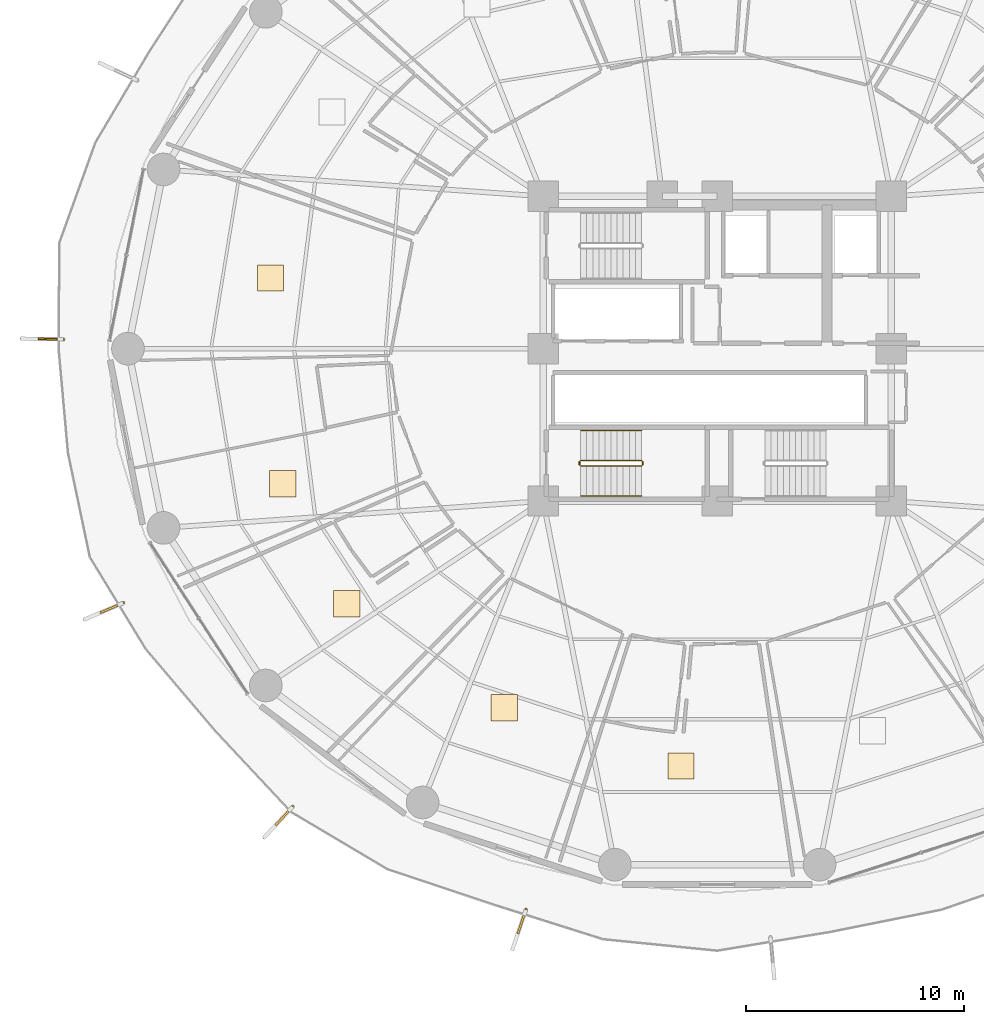
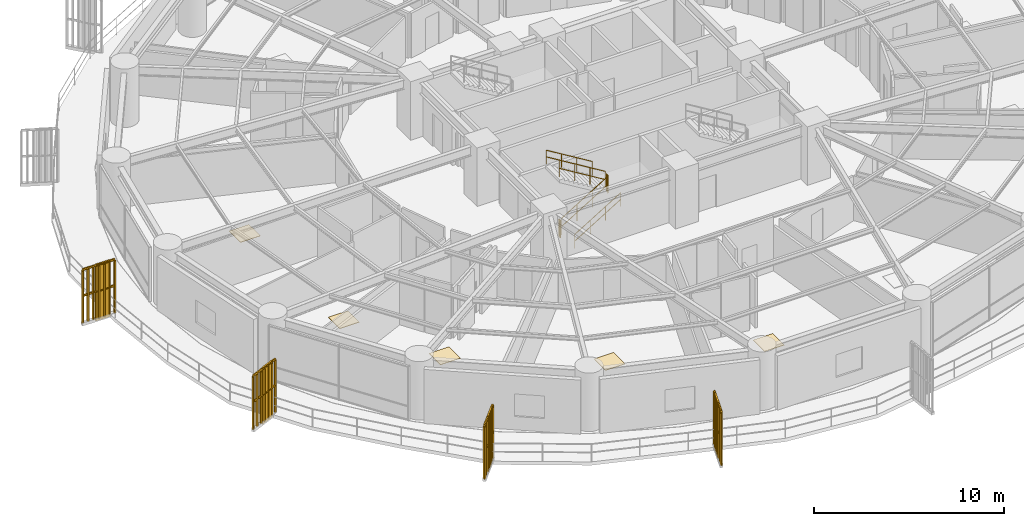
# One storey, part 30 of 34: 10 railings, 5 coverings, 4 shading devices.
"""IFC4 building model written with IfcOpenShell, lengths in metres."""

import ifcopenshell
import ifcopenshell.guid

model = None  # the IFC model being written
_history = None  # IfcOwnerHistory: only IFC2X3 demands one
_inside = {}  # id of a spatial element -> (the spatial element, [elements in it])
_under = {}  # id of a project, library or spatial element -> (it, [spatial elements below it])
_declared = {}  # id of a project -> (the project, [libraries it declares])
_typed = {}  # id of a type object -> (the type object, [elements of that type])
_made_of = {}  # id of a material, layer set ... -> (it, [elements and type objects made of it])


def new_model(schema):
    """Start an empty IFC model of exactly this schema.

    Asked for "IFC4X3", IfcOpenShell would pick the latest addendum, in which some entities
    have other attributes; the version numbers below select the first issue.
    IFC2X3 requires an IfcOwnerHistory on every rooted entity: one is made here for all.
    """
    global model, _history
    if schema == "IFC4X3":
        model = ifcopenshell.file(schema_version=(4, 3, 0, 0))
    else:
        model = ifcopenshell.file(schema=schema)
    _inside.clear()
    _under.clear()
    _declared.clear()
    _typed.clear()
    _made_of.clear()
    _history = None
    if model.schema == "IFC2X3":
        org = make("IfcOrganization", Name="unknown")
        user = make(
            "IfcPersonAndOrganization",
            ThePerson=make("IfcPerson", FamilyName="unknown"),
            TheOrganization=org,
        )
        app = make(
            "IfcApplication",
            ApplicationDeveloper=org,
            Version="unknown",
            ApplicationFullName="unknown",
            ApplicationIdentifier="unknown",
        )
        _history = make(
            "IfcOwnerHistory",
            OwningUser=user,
            OwningApplication=app,
            ChangeAction="ADDED",
            CreationDate=0,
        )
    return model


def make(cls, **values):
    """One entity of the class cls with the attributes given. An attribute that is None is left unset."""
    return model.create_entity(
        cls, **{name: value for name, value in values.items() if value is not None}
    )


def rooted(cls, **values):
    """An entity with a GlobalId (a new one), such as an element, a storey or a relation."""
    return make(cls, GlobalId=ifcopenshell.guid.new(), OwnerHistory=_history, **values)


def si_unit(unit_type, name, prefix=None):
    """IfcSIUnit, for example si_unit("LENGTHUNIT", "METRE", prefix="MILLI")."""
    return make("IfcSIUnit", UnitType=unit_type, Prefix=prefix, Name=name)


def assignment(units):
    """IfcUnitAssignment: the units of a project."""
    return None if units is None else make("IfcUnitAssignment", Units=units)


def point(xyz):
    """IfcCartesianPoint."""
    return None if xyz is None else make("IfcCartesianPoint", Coordinates=xyz)


def direction(xyz):
    """IfcDirection."""
    return None if xyz is None else make("IfcDirection", DirectionRatios=xyz)


def frame(location, z_axis=None, x_axis=None):
    """IfcAxis2Placement3D, a coordinate frame: its origin and axes. An axis left out is left unset."""
    return make(
        "IfcAxis2Placement3D",
        Location=point(location),
        Axis=direction(z_axis),
        RefDirection=direction(x_axis),
    )


def frame_2d(location, x_axis=None):
    """IfcAxis2Placement2D, a coordinate frame in the plane: its origin and x axis."""
    return make(
        "IfcAxis2Placement2D", Location=point(location), RefDirection=direction(x_axis)
    )


def origin():
    """The frame at (0, 0, 0) with its axes left unset."""
    return frame((0.0, 0.0, 0.0))


def origin_2d():
    """The frame at (0, 0) in the plane with its x axis left unset."""
    return frame_2d((0.0, 0.0))


def place(relative_to, where):
    """IfcLocalPlacement: puts the frame where relative to a parent placement (None: the world)."""
    return make(
        "IfcLocalPlacement", PlacementRelTo=relative_to, RelativePlacement=where
    )


def context(
    kind, dimensions, precision=None, world=None, true_north=None, identifier=None
):
    """IfcGeometricRepresentationContext, for example the 3D "Model" context."""
    return make(
        "IfcGeometricRepresentationContext",
        ContextIdentifier=identifier,
        ContextType=kind,
        CoordinateSpaceDimension=dimensions,
        Precision=precision,
        WorldCoordinateSystem=world,
        TrueNorth=true_north,
    )


def subcontext(parent, identifier, kind, view, scale=None):
    """IfcGeometricRepresentationSubContext, for example "Body" below "Model"."""
    return make(
        "IfcGeometricRepresentationSubContext",
        ContextIdentifier=identifier,
        ContextType=kind,
        ParentContext=parent,
        TargetScale=scale,
        TargetView=view,
    )


def project(units=None, contexts=None):
    """IfcProject with its units and contexts."""
    return rooted(
        "IfcProject",
        Name="project",
        RepresentationContexts=contexts,
        UnitsInContext=assignment(units),
    )


def spatial(cls, under=None, at=None, **own):
    """A site, building, storey or space (cls), placed at a placement, below another one or the project."""
    s = rooted(cls, ObjectPlacement=at, **own)
    if under is not None:
        _under.setdefault(under.id(), (under, []))[1].append(s)
    return s


def polyline(points):
    """IfcPolyline through the points."""
    return make("IfcPolyline", Points=[point(p) for p in points])


def profile(cls, at=None, kind="AREA", **sizes):
    """A parametric profile (cls). Its sizes go by their IFC names, for example OverallWidth=200.0."""
    return make(cls, ProfileType=kind, Position=at, **sizes)


def rectangle(**sizes):
    """IfcRectangleProfileDef."""
    return profile("IfcRectangleProfileDef", **sizes)


def outline(outer, holes=None, kind="AREA"):
    """IfcArbitraryClosedProfileDef: a profile drawn as a closed curve; with holes, ...WithVoids."""
    if holes is None:
        return make("IfcArbitraryClosedProfileDef", ProfileType=kind, OuterCurve=outer)
    return make(
        "IfcArbitraryProfileDefWithVoids",
        ProfileType=kind,
        OuterCurve=outer,
        InnerCurves=holes,
    )


def extrude(swept, where, along, depth):
    """IfcExtrudedAreaSolid: the profile swept, set in the frame where, extruded along a direction by depth."""
    return make(
        "IfcExtrudedAreaSolid",
        SweptArea=swept,
        Position=where,
        ExtrudedDirection=direction(along),
        Depth=depth,
    )


def shape(context_of_items, identifier, shape_type, items):
    """IfcShapeRepresentation: the items that make up one representation, for example the "Body"."""
    return make(
        "IfcShapeRepresentation",
        ContextOfItems=context_of_items,
        RepresentationIdentifier=identifier,
        RepresentationType=shape_type,
        Items=items,
    )


def source(mapping_origin, context_of_items, identifier, shape_type, items):
    """IfcRepresentationMap: a shape defined once, which mapped items show again and again."""
    return make(
        "IfcRepresentationMap",
        MappingOrigin=mapping_origin,
        MappedRepresentation=shape(context_of_items, identifier, shape_type, items),
    )


def transform(
    local_origin,
    x_axis=None,
    y_axis=None,
    z_axis=None,
    scale=None,
    scale2=None,
    scale3=None,
    uniform=True,
):
    """IfcCartesianTransformationOperator3D, or its non-uniform kind. x_axis, y_axis, z_axis: its Axis1, 2, 3."""
    if uniform:
        return make(
            "IfcCartesianTransformationOperator3D",
            Axis1=direction(x_axis),
            Axis2=direction(y_axis),
            LocalOrigin=point(local_origin),
            Scale=scale,
            Axis3=direction(z_axis),
        )
    return make(
        "IfcCartesianTransformationOperator3DnonUniform",
        Axis1=direction(x_axis),
        Axis2=direction(y_axis),
        LocalOrigin=point(local_origin),
        Scale=scale,
        Axis3=direction(z_axis),
        Scale2=scale2,
        Scale3=scale3,
    )


def mapped(mapping_source, mapping_target):
    """IfcMappedItem: shows the shape of a source again, moved by a transform."""
    return make(
        "IfcMappedItem", MappingSource=mapping_source, MappingTarget=mapping_target
    )


def material(Name=None, Category=None):
    """IfcMaterial."""
    return make("IfcMaterial", Name=Name, Category=Category)


def layer(
    of_material, thickness, ventilated=None, Name=None, Category=None, Priority=None
):
    """IfcMaterialLayer: one layer of a wall or slab, of a material (None: an air gap)."""
    return make(
        "IfcMaterialLayer",
        Material=of_material,
        LayerThickness=thickness,
        IsVentilated=ventilated,
        Name=Name,
        Category=Category,
        Priority=Priority,
    )


def layer_set(layers, Name=None):
    """IfcMaterialLayerSet."""
    return make("IfcMaterialLayerSet", MaterialLayers=layers, LayerSetName=Name)


def made_of(thing, what):
    """Note that an element or type object is made of a material, layer set ...; save() writes the relation."""
    if what is not None:
        _made_of.setdefault(what.id(), (what, []))[1].append(thing)
    return thing


def type_object(cls, material=None, **own):
    """A type object (cls), such as IfcWallType, which elements share."""
    return made_of(rooted(cls, **own), material)


def element(
    cls,
    number,
    at=None,
    inside=None,
    cuts=None,
    type_object=None,
    material=None,
    context=None,
    identifier="Body",
    shape_type=None,
    held_by="IfcProductDefinitionShape",
    body=None,
    shapes=None,
    **own,
):
    """One element of the class cls, such as IfcWall. Its Tag is "e" and its number.

    at: its placement. inside: the storey or other place that contains it. cuts: it is an
    opening in that element (IfcRelVoidsElement). A single representation is given by context,
    identifier, shape_type and body (its items); several are given by shapes. held_by: the class
    of the entity that holds the representations. save() writes the other relations.
    """
    e = rooted(cls, Tag="e%d" % number, ObjectPlacement=at, **own)
    if body is not None:
        shapes = [shape(context, identifier, shape_type, body)]
    if shapes is not None:
        e.Representation = make(held_by, Representations=shapes)
    if inside is not None:
        _inside.setdefault(inside.id(), (inside, []))[1].append(e)
    if cuts is not None:
        rooted(
            "IfcRelVoidsElement", RelatingBuildingElement=cuts, RelatedOpeningElement=e
        )
    if type_object is not None:
        _typed.setdefault(type_object.id(), (type_object, []))[1].append(e)
    return made_of(e, material)


def aggregate(whole, parts):
    """IfcRelAggregates: a whole, such as a stair, and the parts it consists of."""
    return rooted("IfcRelAggregates", RelatingObject=whole, RelatedObjects=parts)


def save(model, path):
    """Write the relations noted so far, then the file.

    IfcRelAggregates (storeys below a building ...), IfcRelContainedInSpatialStructure (elements
    in a storey), IfcRelDefinesByType, IfcRelAssociatesMaterial and IfcRelDeclares: one each for
    every whole, place, type object, material and project.
    """
    for whole, parts in _under.values():
        aggregate(whole, parts)
    for where, things in _inside.values():
        rooted(
            "IfcRelContainedInSpatialStructure",
            RelatedElements=things,
            RelatingStructure=where,
        )
    for kind, things in _typed.values():
        rooted("IfcRelDefinesByType", RelatedObjects=things, RelatingType=kind)
    for what, things in _made_of.values():
        rooted("IfcRelAssociatesMaterial", RelatedObjects=things, RelatingMaterial=what)
    for by, libraries in _declared.values():
        rooted("IfcRelDeclares", RelatingContext=by, RelatedDefinitions=libraries)
    model.write(path)


model = new_model("IFC4")

# Units and contexts
model_context = context("Model", 3, precision=1e-05, world=origin(), true_north=direction((0.0, 1.0)))
body_context = subcontext(model_context, "Body", "Model", "MODEL_VIEW")
ifc_project = project(units=[si_unit("LENGTHUNIT", "METRE"), si_unit("AREAUNIT", "SQUARE_METRE"), si_unit("VOLUMEUNIT", "CUBIC_METRE"), si_unit("PLANEANGLEUNIT", "RADIAN"), si_unit("MASSUNIT", "GRAM", prefix="KILO")], contexts=[model_context])

# Site, building, storey
site_placement = place(None, origin())
site = spatial("IfcSite", under=ifc_project, at=site_placement, CompositionType="ELEMENT")
building_placement = place(site_placement, origin())
building = spatial("IfcBuilding", under=site, at=building_placement, Name="Kelanora Arch Commons", CompositionType="ELEMENT")
storey_placement = place(building_placement, frame((0.0, 0.0, 33.75)))
storey = spatial("IfcBuildingStorey", under=building, at=storey_placement, Name="L08", CompositionType="ELEMENT", Elevation=33.75)

# Railings
ifc_material_1 = material(Name="Anodised bronze vertical shading fin rib assembly")
railing_type_1 = type_object("IfcRailingType", Name="RAIL-FIN-BRZ", PredefinedType="BALUSTRADE", material=ifc_material_1)
railing_1_placement = place(storey_placement, frame((43.95556640625, 58.43310546875, -0.02001953125)))
element("IfcRailing", 1, at=railing_1_placement, inside=storey, type_object=railing_type_1, Name="Sweeping Bronze Vertical Fin Blade L08-07", PredefinedType="BALUSTRADE", context=body_context, shape_type="SweptSolid", body=[
    extrude(outline(polyline([(0.06982421875, 0.0), (0.034912109375, 0.060546875), (-0.034912109375, 0.060546875), (-0.06982421875, 0.0), (-0.034912109375, -0.060546875), (0.034912109375, -0.060546875), (0.06982421875, 0.0)])), frame((0.0, 0.0, 3.419921875), z_axis=(-0.999896488581, 0.014387915855, 0.0), x_axis=(-0.014387915855, -0.999896488581, 0.0)), (0.0, 0.0, 1.0), 1.91748046875),
    extrude(outline(polyline([(0.06982421875, 0.0), (0.034912109375, 0.060546875), (-0.034912109375, 0.060546875), (-0.06982421875, 0.0), (-0.034912109375, -0.060546875), (0.034912109375, -0.060546875), (0.06982421875, 0.0)])), frame((0.0, 0.0, 1.7451171875), z_axis=(-0.999896488581, 0.014387915855, 0.0), x_axis=(-0.014387915855, -0.999896488581, 0.0)), (0.0, 0.0, 1.0), 1.91748046875),
    extrude(outline(polyline([(0.080078125, 0.0), (0.0400390625, 0.0693359375), (-0.0400390625, 0.0693359375), (-0.080078125, 0.0), (-0.0400390625, -0.0693359375), (0.0400390625, -0.0693359375), (0.080078125, 0.0)])), origin(), (0.0, 0.0, 1.0), 3.35009765625),
    extrude(outline(polyline([(0.080078125, 0.0), (0.0400390625, 0.0693359375), (-0.0400390625, 0.0693359375), (-0.080078125, 0.0), (-0.0400390625, -0.0693359375), (0.0400390625, -0.0693359375), (0.080078125, 0.0)])), frame((-0.319580078125, 0.004638671875, 0.0)), (0.0, 0.0, 1.0), 3.35009765625),
    extrude(outline(polyline([(0.080078125, 0.0), (0.0400390625, 0.0693359375), (-0.0400390625, 0.0693359375), (-0.080078125, 0.0), (-0.0400390625, -0.0693359375), (0.0400390625, -0.0693359375), (0.080078125, 0.0)])), frame((-0.63916015625, 0.00927734375, 0.0)), (0.0, 0.0, 1.0), 3.35009765625),
    extrude(outline(polyline([(0.080078125, 0.0), (0.0400390625, 0.0693359375), (-0.0400390625, 0.0693359375), (-0.080078125, 0.0), (-0.0400390625, -0.0693359375), (0.0400390625, -0.0693359375), (0.080078125, 0.0)])), frame((-0.95849609375, 0.013671875, 0.0)), (0.0, 0.0, 1.0), 3.35009765625),
    extrude(outline(polyline([(0.080078125, 0.0), (0.0400390625, 0.0693359375), (-0.0400390625, 0.0693359375), (-0.080078125, 0.0), (-0.0400390625, -0.0693359375), (0.0400390625, -0.0693359375), (0.080078125, 0.0)])), frame((-1.278076171875, 0.018310546875, 0.0)), (0.0, 0.0, 1.0), 3.35009765625),
    extrude(outline(polyline([(0.080078125, 0.0), (0.0400390625, 0.0693359375), (-0.0400390625, 0.0693359375), (-0.080078125, 0.0), (-0.0400390625, -0.0693359375), (0.0400390625, -0.0693359375), (0.080078125, 0.0)])), frame((-1.59765625, 0.02294921875, 0.0)), (0.0, 0.0, 1.0), 3.35009765625),
    extrude(outline(polyline([(0.080078125, 0.0), (0.0400390625, 0.0693359375), (-0.0400390625, 0.0693359375), (-0.080078125, 0.0), (-0.0400390625, -0.0693359375), (0.0400390625, -0.0693359375), (0.080078125, 0.0)])), frame((-1.917236328125, 0.027587890625, 0.0)), (0.0, 0.0, 1.0), 3.35009765625),
])
railing_2_placement = place(storey_placement, frame((46.703125, 46.315185546875, -0.02001953125)))
element("IfcRailing", 2, at=railing_2_placement, inside=storey, type_object=railing_type_1, Name="Sweeping Bronze Vertical Fin Blade L08-08", PredefinedType="BALUSTRADE", context=body_context, shape_type="SweptSolid", body=[
    extrude(outline(polyline([(0.06982421875, 0.0), (0.034912109375, 0.060546875), (-0.034912109375, 0.060546875), (-0.06982421875, 0.0), (-0.034912109375, -0.060546875), (0.034912109375, -0.060546875), (0.06982421875, 0.0)])), frame((0.0, 0.0, 3.419921875), z_axis=(-0.919316155183, -0.393519766746, 0.0), x_axis=(0.393519766746, -0.919316155183, 0.0)), (0.0, 0.0, 1.0), 1.917724609375),
    extrude(outline(polyline([(0.06982421875, 0.0), (0.034912109375, 0.060546875), (-0.034912109375, 0.060546875), (-0.06982421875, 0.0), (-0.034912109375, -0.060546875), (0.034912109375, -0.060546875), (0.06982421875, 0.0)])), frame((0.0, 0.0, 1.7451171875), z_axis=(-0.919316155183, -0.393519766746, 0.0), x_axis=(0.393519766746, -0.919316155183, 0.0)), (0.0, 0.0, 1.0), 1.917724609375),
    extrude(outline(polyline([(0.080078125, 0.0), (0.0400390625, 0.0693359375), (-0.0400390625, 0.0693359375), (-0.080078125, 0.0), (-0.0400390625, -0.0693359375), (0.0400390625, -0.0693359375), (0.080078125, 0.0)])), origin(), (0.0, 0.0, 1.0), 3.35009765625),
    extrude(outline(polyline([(0.080078125, 0.0), (0.0400390625, 0.0693359375), (-0.0400390625, 0.0693359375), (-0.080078125, 0.0), (-0.0400390625, -0.0693359375), (0.0400390625, -0.0693359375), (0.080078125, 0.0)])), frame((-0.2939453125, -0.125732421875, 0.0)), (0.0, 0.0, 1.0), 3.35009765625),
    extrude(outline(polyline([(0.080078125, 0.0), (0.0400390625, 0.0693359375), (-0.0400390625, 0.0693359375), (-0.080078125, 0.0), (-0.0400390625, -0.0693359375), (0.0400390625, -0.0693359375), (0.080078125, 0.0)])), frame((-0.587646484375, -0.25146484375, 0.0)), (0.0, 0.0, 1.0), 3.35009765625),
    extrude(outline(polyline([(0.080078125, 0.0), (0.0400390625, 0.0693359375), (-0.0400390625, 0.0693359375), (-0.080078125, 0.0), (-0.0400390625, -0.0693359375), (0.0400390625, -0.0693359375), (0.080078125, 0.0)])), frame((-0.88134765625, -0.37744140625, 0.0)), (0.0, 0.0, 1.0), 3.35009765625),
    extrude(outline(polyline([(0.080078125, 0.0), (0.0400390625, 0.0693359375), (-0.0400390625, 0.0693359375), (-0.080078125, 0.0), (-0.0400390625, -0.0693359375), (0.0400390625, -0.0693359375), (0.080078125, 0.0)])), frame((-1.17529296875, -0.503173828125, 0.0)), (0.0, 0.0, 1.0), 3.35009765625),
    extrude(outline(polyline([(0.080078125, 0.0), (0.0400390625, 0.0693359375), (-0.0400390625, 0.0693359375), (-0.080078125, 0.0), (-0.0400390625, -0.0693359375), (0.0400390625, -0.0693359375), (0.080078125, 0.0)])), frame((-1.46923828125, -0.62890625, 0.0)), (0.0, 0.0, 1.0), 3.35009765625),
    extrude(outline(polyline([(0.080078125, 0.0), (0.0400390625, 0.0693359375), (-0.0400390625, 0.0693359375), (-0.080078125, 0.0), (-0.0400390625, -0.0693359375), (0.0400390625, -0.0693359375), (0.080078125, 0.0)])), frame((-1.762939453125, -0.754638671875, 0.0)), (0.0, 0.0, 1.0), 3.35009765625),
])
railing_3_placement = place(storey_placement, frame((54.490234375, 36.95068359375, -0.02001953125)))
element("IfcRailing", 3, at=railing_3_placement, inside=storey, type_object=railing_type_1, Name="Sweeping Bronze Vertical Fin Blade L08-09", PredefinedType="BALUSTRADE", context=body_context, shape_type="SweptSolid", body=[
    extrude(outline(polyline([(0.06982421875, 0.0), (0.034912109375, 0.060546875), (-0.034912109375, 0.060546875), (-0.06982421875, 0.0), (-0.034912109375, -0.060546875), (0.034912109375, -0.060546875), (0.06982421875, 0.0)])), frame((0.0, 0.0, 3.419921875), z_axis=(-0.679732927527, -0.73345971071, 0.0), x_axis=(0.73345971071, -0.679732927527, 0.0)), (0.0, 0.0, 1.0), 1.917724609375),
    extrude(outline(polyline([(0.06982421875, 0.0), (0.034912109375, 0.060546875), (-0.034912109375, 0.060546875), (-0.06982421875, 0.0), (-0.034912109375, -0.060546875), (0.034912109375, -0.060546875), (0.06982421875, 0.0)])), frame((0.0, 0.0, 1.7451171875), z_axis=(-0.679732927527, -0.73345971071, 0.0), x_axis=(0.73345971071, -0.679732927527, 0.0)), (0.0, 0.0, 1.0), 1.917724609375),
    extrude(outline(polyline([(0.080078125, 0.0), (0.0400390625, 0.0693359375), (-0.0400390625, 0.0693359375), (-0.080078125, 0.0), (-0.0400390625, -0.0693359375), (0.0400390625, -0.0693359375), (0.080078125, 0.0)])), origin(), (0.0, 0.0, 1.0), 3.35009765625),
    extrude(outline(polyline([(0.080078125, 0.0), (0.0400390625, 0.0693359375), (-0.0400390625, 0.0693359375), (-0.080078125, 0.0), (-0.0400390625, -0.0693359375), (0.0400390625, -0.0693359375), (0.080078125, 0.0)])), frame((-0.21728515625, -0.234375, 0.0)), (0.0, 0.0, 1.0), 3.35009765625),
    extrude(outline(polyline([(0.080078125, 0.0), (0.0400390625, 0.0693359375), (-0.0400390625, 0.0693359375), (-0.080078125, 0.0), (-0.0400390625, -0.0693359375), (0.0400390625, -0.0693359375), (0.080078125, 0.0)])), frame((-0.4345703125, -0.46875, 0.0)), (0.0, 0.0, 1.0), 3.35009765625),
    extrude(outline(polyline([(0.080078125, 0.0), (0.0400390625, 0.0693359375), (-0.0400390625, 0.0693359375), (-0.080078125, 0.0), (-0.0400390625, -0.0693359375), (0.0400390625, -0.0693359375), (0.080078125, 0.0)])), frame((-0.65185546875, -0.703125, 0.0)), (0.0, 0.0, 1.0), 3.35009765625),
    extrude(outline(polyline([(0.080078125, 0.0), (0.0400390625, 0.0693359375), (-0.0400390625, 0.0693359375), (-0.080078125, 0.0), (-0.0400390625, -0.0693359375), (0.0400390625, -0.0693359375), (0.080078125, 0.0)])), frame((-0.868896484375, -0.937744140625, 0.0)), (0.0, 0.0, 1.0), 3.35009765625),
    extrude(outline(polyline([(0.080078125, 0.0), (0.0400390625, 0.0693359375), (-0.0400390625, 0.0693359375), (-0.080078125, 0.0), (-0.0400390625, -0.0693359375), (0.0400390625, -0.0693359375), (0.080078125, 0.0)])), frame((-1.086181640625, -1.172119140625, 0.0)), (0.0, 0.0, 1.0), 3.35009765625),
    extrude(outline(polyline([(0.080078125, 0.0), (0.0400390625, 0.0693359375), (-0.0400390625, 0.0693359375), (-0.080078125, 0.0), (-0.0400390625, -0.0693359375), (0.0400390625, -0.0693359375), (0.080078125, 0.0)])), frame((-1.303466796875, -1.406494140625, 0.0)), (0.0, 0.0, 1.0), 3.35009765625),
])
railing_4_placement = place(storey_placement, frame((65.20947265625, 32.21630859375, -0.02001953125)))
element("IfcRailing", 4, at=railing_4_placement, inside=storey, type_object=railing_type_1, Name="Sweeping Bronze Vertical Fin Blade L08-10", PredefinedType="BALUSTRADE", context=body_context, shape_type="SweptSolid", body=[
    extrude(outline(polyline([(0.06982421875, 0.0), (0.034912109375, 0.060546875), (-0.034912109375, 0.060546875), (-0.06982421875, 0.0), (-0.034912109375, -0.060546875), (0.034912109375, -0.060546875), (0.06982421875, 0.0)])), frame((0.0, 0.0, 3.419921875), z_axis=(-0.322676520525, -0.946509304287, 0.0), x_axis=(0.946509304287, -0.322676520525, 0.0)), (0.0, 0.0, 1.0), 1.917236328125),
    extrude(outline(polyline([(0.06982421875, 0.0), (0.034912109375, 0.060546875), (-0.034912109375, 0.060546875), (-0.06982421875, 0.0), (-0.034912109375, -0.060546875), (0.034912109375, -0.060546875), (0.06982421875, 0.0)])), frame((0.0, 0.0, 1.7451171875), z_axis=(-0.322676520525, -0.946509304287, 0.0), x_axis=(0.946509304287, -0.322676520525, 0.0)), (0.0, 0.0, 1.0), 1.917236328125),
    extrude(outline(polyline([(0.080078125, 0.0), (0.0400390625, 0.0693359375), (-0.0400390625, 0.0693359375), (-0.080078125, 0.0), (-0.0400390625, -0.0693359375), (0.0400390625, -0.0693359375), (0.080078125, 0.0)])), origin(), (0.0, 0.0, 1.0), 3.35009765625),
    extrude(outline(polyline([(0.080078125, 0.0), (0.0400390625, 0.0693359375), (-0.0400390625, 0.0693359375), (-0.080078125, 0.0), (-0.0400390625, -0.0693359375), (0.0400390625, -0.0693359375), (0.080078125, 0.0)])), frame((-0.10302734375, -0.302490234375, 0.0)), (0.0, 0.0, 1.0), 3.35009765625),
    extrude(outline(polyline([(0.080078125, 0.0), (0.0400390625, 0.0693359375), (-0.0400390625, 0.0693359375), (-0.080078125, 0.0), (-0.0400390625, -0.0693359375), (0.0400390625, -0.0693359375), (0.080078125, 0.0)])), frame((-0.206298828125, -0.60498046875, 0.0)), (0.0, 0.0, 1.0), 3.35009765625),
    extrude(outline(polyline([(0.080078125, 0.0), (0.0400390625, 0.0693359375), (-0.0400390625, 0.0693359375), (-0.080078125, 0.0), (-0.0400390625, -0.0693359375), (0.0400390625, -0.0693359375), (0.080078125, 0.0)])), frame((-0.309326171875, -0.9072265625, 0.0)), (0.0, 0.0, 1.0), 3.35009765625),
    extrude(outline(polyline([(0.080078125, 0.0), (0.0400390625, 0.0693359375), (-0.0400390625, 0.0693359375), (-0.080078125, 0.0), (-0.0400390625, -0.0693359375), (0.0400390625, -0.0693359375), (0.080078125, 0.0)])), frame((-0.412353515625, -1.209716796875, 0.0)), (0.0, 0.0, 1.0), 3.35009765625),
    extrude(outline(polyline([(0.080078125, 0.0), (0.0400390625, 0.0693359375), (-0.0400390625, 0.0693359375), (-0.080078125, 0.0), (-0.0400390625, -0.0693359375), (0.0400390625, -0.0693359375), (0.080078125, 0.0)])), frame((-0.515625, -1.51220703125, 0.0)), (0.0, 0.0, 1.0), 3.35009765625),
    extrude(outline(polyline([(0.080078125, 0.0), (0.0400390625, 0.0693359375), (-0.0400390625, 0.0693359375), (-0.080078125, 0.0), (-0.0400390625, -0.0693359375), (0.0400390625, -0.0693359375), (0.080078125, 0.0)])), frame((-0.61865234375, -1.814697265625, 0.0)), (0.0, 0.0, 1.0), 3.35009765625),
])
ifc_material_2 = material(Name="Painted steel stair well guard", Category="steel")
railing_type_2 = type_object("IfcRailingType", Name="RAIL-STAIR-GRD", PredefinedType="GUARDRAIL", material=ifc_material_2)
railing_5_placement = place(storey_placement, frame((67.719970703125, 52.610107421875, 0.17041015625)))
element("IfcRailing", 5, at=railing_5_placement, inside=storey, type_object=railing_type_2, Name="L08 ST-T3 stair guard 1", PredefinedType="GUARDRAIL", context=body_context, shape_type="SweptSolid", body=[
    extrude(outline(polyline([(0.02392578125, 0.0), (0.011962890625, 0.020751953125), (-0.011962890625, 0.020751953125), (-0.02392578125, 0.0), (-0.011962890625, -0.020751953125), (0.011962890625, -0.020751953125), (0.02392578125, 0.0)])), frame((0.0, 0.0, 1.076171875), z_axis=(0.854169791009, 0.0, 0.51999420009), x_axis=(0.0, 1.0, 0.0)), (0.0, 0.0, 1.0), 3.278076171875),
    extrude(outline(polyline([(0.02392578125, 0.0), (0.011962890625, 0.020751953125), (-0.011962890625, 0.020751953125), (-0.02392578125, 0.0), (-0.011962890625, -0.020751953125), (0.011962890625, -0.020751953125), (0.02392578125, 0.0)])), frame((0.0, 0.0, 0.550048828125), z_axis=(0.854169791009, 0.0, 0.51999420009), x_axis=(0.0, 1.0, 0.0)), (0.0, 0.0, 1.0), 3.278076171875),
    extrude(outline(polyline([(0.02099609375, 0.0), (0.010498046875, 0.01806640625), (-0.010498046875, 0.01806640625), (-0.02099609375, 0.0), (-0.010498046875, -0.01806640625), (0.010498046875, -0.01806640625), (0.02099609375, 0.0)])), origin(), (0.0, 0.0, 1.0), 1.052001953125),
    extrude(outline(polyline([(0.02099609375, 0.0), (0.010498046875, 0.01806640625), (-0.010498046875, 0.01806640625), (-0.02099609375, 0.0), (-0.010498046875, -0.01806640625), (0.010498046875, -0.01806640625), (0.02099609375, 0.0)])), frame((0.933349609375, 0.0, 0.568115234375)), (0.0, 0.0, 1.0), 1.052001953125),
    extrude(outline(polyline([(0.02099609375, 0.0), (0.010498046875, 0.01806640625), (-0.010498046875, 0.01806640625), (-0.02099609375, 0.0), (-0.010498046875, -0.01806640625), (0.010498046875, -0.01806640625), (0.02099609375, 0.0)])), frame((1.86669921875, 0.0, 1.136474609375)), (0.0, 0.0, 1.0), 1.052001953125),
    extrude(outline(polyline([(0.02099609375, 0.0), (0.010498046875, 0.01806640625), (-0.010498046875, 0.01806640625), (-0.02099609375, 0.0), (-0.010498046875, -0.01806640625), (0.010498046875, -0.01806640625), (0.02099609375, 0.0)])), frame((2.800048828125, 0.0, 1.70458984375)), (0.0, 0.0, 1.0), 1.052001953125),
])
railing_6_placement = place(storey_placement, frame((70.570068359375, 52.659912109375, 1.875)))
element("IfcRailing", 6, at=railing_6_placement, inside=storey, type_object=railing_type_2, Name="L08 ST-T3 stair guard 2", PredefinedType="GUARDRAIL", context=body_context, shape_type="SweptSolid", body=[
    extrude(outline(polyline([(0.02392578125, 0.0), (0.011962890625, 0.020751953125), (-0.011962890625, 0.020751953125), (-0.02392578125, 0.0), (-0.011962890625, -0.020751953125), (0.011962890625, -0.020751953125), (0.02392578125, 0.0)])), frame((0.0, 0.0, 1.076171875), z_axis=(0.0, 1.0, 0.0), x_axis=(-1.0, 0.0, 0.0)), (0.0, 0.0, 1.0), 0.150146484375),
    extrude(outline(polyline([(0.02392578125, 0.0), (0.011962890625, 0.020751953125), (-0.011962890625, 0.020751953125), (-0.02392578125, 0.0), (-0.011962890625, -0.020751953125), (0.011962890625, -0.020751953125), (0.02392578125, 0.0)])), frame((0.0, 0.0, 0.550048828125), z_axis=(0.0, 1.0, 0.0), x_axis=(-1.0, 0.0, 0.0)), (0.0, 0.0, 1.0), 0.150146484375),
    extrude(outline(polyline([(0.02099609375, 0.0), (0.010498046875, 0.01806640625), (-0.010498046875, 0.01806640625), (-0.02099609375, 0.0), (-0.010498046875, -0.01806640625), (0.010498046875, -0.01806640625), (0.02099609375, 0.0)])), origin(), (0.0, 0.0, 1.0), 1.052001953125),
    extrude(outline(polyline([(0.02099609375, 0.0), (0.010498046875, 0.01806640625), (-0.010498046875, 0.01806640625), (-0.02099609375, 0.0), (-0.010498046875, -0.01806640625), (0.010498046875, -0.01806640625), (0.02099609375, 0.0)])), frame((0.0, 0.150146484375, 0.0)), (0.0, 0.0, 1.0), 1.052001953125),
])
railing_7_placement = place(storey_placement, frame((70.52001953125, 52.860107421875, 2.04541015625)))
element("IfcRailing", 7, at=railing_7_placement, inside=storey, type_object=railing_type_2, Name="L08 ST-T3 stair guard 3", PredefinedType="GUARDRAIL", context=body_context, shape_type="SweptSolid", body=[
    extrude(outline(polyline([(0.02392578125, 0.0), (0.011962890625, 0.020751953125), (-0.011962890625, 0.020751953125), (-0.02392578125, 0.0), (-0.011962890625, -0.020751953125), (0.011962890625, -0.020751953125), (0.02392578125, 0.0)])), frame((0.0, 0.0, 1.076171875), z_axis=(-0.854169791009, 0.0, 0.51999420009), x_axis=(0.0, -1.0, 0.0)), (0.0, 0.0, 1.0), 3.278076171875),
    extrude(outline(polyline([(0.02392578125, 0.0), (0.011962890625, 0.020751953125), (-0.011962890625, 0.020751953125), (-0.02392578125, 0.0), (-0.011962890625, -0.020751953125), (0.011962890625, -0.020751953125), (0.02392578125, 0.0)])), frame((0.0, 0.0, 0.550048828125), z_axis=(-0.854169791009, 0.0, 0.51999420009), x_axis=(0.0, -1.0, 0.0)), (0.0, 0.0, 1.0), 3.278076171875),
    extrude(outline(polyline([(0.02099609375, 0.0), (0.010498046875, 0.01806640625), (-0.010498046875, 0.01806640625), (-0.02099609375, 0.0), (-0.010498046875, -0.01806640625), (0.010498046875, -0.01806640625), (0.02099609375, 0.0)])), origin(), (0.0, 0.0, 1.0), 1.052001953125),
    extrude(outline(polyline([(0.02099609375, 0.0), (0.010498046875, 0.01806640625), (-0.010498046875, 0.01806640625), (-0.02099609375, 0.0), (-0.010498046875, -0.01806640625), (0.010498046875, -0.01806640625), (0.02099609375, 0.0)])), frame((-0.933349609375, 0.0, 0.568115234375)), (0.0, 0.0, 1.0), 1.052001953125),
    extrude(outline(polyline([(0.02099609375, 0.0), (0.010498046875, 0.01806640625), (-0.010498046875, 0.01806640625), (-0.02099609375, 0.0), (-0.010498046875, -0.01806640625), (0.010498046875, -0.01806640625), (0.02099609375, 0.0)])), frame((-1.86669921875, 0.0, 1.136474609375)), (0.0, 0.0, 1.0), 1.052001953125),
    extrude(outline(polyline([(0.02099609375, 0.0), (0.010498046875, 0.01806640625), (-0.010498046875, 0.01806640625), (-0.02099609375, 0.0), (-0.010498046875, -0.01806640625), (0.010498046875, -0.01806640625), (0.02099609375, 0.0)])), frame((-2.800048828125, 0.0, 1.70458984375)), (0.0, 0.0, 1.0), 1.052001953125),
])
railing_8_placement = place(storey_placement, frame((67.669921875, 52.659912109375, 0.0)))
element("IfcRailing", 8, at=railing_8_placement, inside=storey, type_object=railing_type_2, Name="L08 ST-T3 stair guard 4", PredefinedType="GUARDRAIL", context=body_context, shape_type="SweptSolid", body=[
    extrude(outline(polyline([(0.02392578125, 0.0), (0.011962890625, 0.020751953125), (-0.011962890625, 0.020751953125), (-0.02392578125, 0.0), (-0.011962890625, -0.020751953125), (0.011962890625, -0.020751953125), (0.02392578125, 0.0)])), frame((0.0, 0.0, 1.076171875), z_axis=(0.0, 1.0, 0.0), x_axis=(-1.0, 0.0, 0.0)), (0.0, 0.0, 1.0), 0.150146484375),
    extrude(outline(polyline([(0.02392578125, 0.0), (0.011962890625, 0.020751953125), (-0.011962890625, 0.020751953125), (-0.02392578125, 0.0), (-0.011962890625, -0.020751953125), (0.011962890625, -0.020751953125), (0.02392578125, 0.0)])), frame((0.0, 0.0, 0.550048828125), z_axis=(0.0, 1.0, 0.0), x_axis=(-1.0, 0.0, 0.0)), (0.0, 0.0, 1.0), 0.150146484375),
    extrude(outline(polyline([(0.02099609375, 0.0), (0.010498046875, 0.01806640625), (-0.010498046875, 0.01806640625), (-0.02099609375, 0.0), (-0.010498046875, -0.01806640625), (0.010498046875, -0.01806640625), (0.02099609375, 0.0)])), origin(), (0.0, 0.0, 1.0), 1.052001953125),
    extrude(outline(polyline([(0.02099609375, 0.0), (0.010498046875, 0.01806640625), (-0.010498046875, 0.01806640625), (-0.02099609375, 0.0), (-0.010498046875, -0.01806640625), (0.010498046875, -0.01806640625), (0.02099609375, 0.0)])), frame((0.0, 0.150146484375, 0.0)), (0.0, 0.0, 1.0), 1.052001953125),
])
ifc_material_3 = material(Name="Brushed stainless steel stair handrail", Category="steel")
railing_type_3 = type_object("IfcRailingType", Name="RAIL-STAIR-HND", PredefinedType="HANDRAIL", material=ifc_material_3)
railing_9_placement = place(storey_placement, frame((67.719970703125, 51.22998046875, 0.17041015625)))
element("IfcRailing", 9, at=railing_9_placement, inside=storey, type_object=railing_type_3, Name="L08 ST-T3 stair handrail 1", PredefinedType="HANDRAIL", context=body_context, shape_type="SweptSolid", body=[
    extrude(outline(polyline([(0.02392578125, 0.0), (0.011962890625, 0.020751953125), (-0.011962890625, 0.020751953125), (-0.02392578125, 0.0), (-0.011962890625, -0.020751953125), (0.011962890625, -0.020751953125), (0.02392578125, 0.0)])), frame((0.0, 0.0, 0.8759765625), z_axis=(0.854169791009, 0.0, 0.51999420009), x_axis=(0.0, 1.0, 0.0)), (0.0, 0.0, 1.0), 3.278076171875),
    extrude(outline(polyline([(0.02392578125, 0.0), (0.011962890625, 0.020751953125), (-0.011962890625, 0.020751953125), (-0.02392578125, 0.0), (-0.011962890625, -0.020751953125), (0.011962890625, -0.020751953125), (0.02392578125, 0.0)])), frame((0.0, 0.0, 0.449951171875), z_axis=(0.854169791009, 0.0, 0.51999420009), x_axis=(0.0, 1.0, 0.0)), (0.0, 0.0, 1.0), 3.278076171875),
    extrude(outline(polyline([(0.02099609375, 0.0), (0.010498046875, 0.01806640625), (-0.010498046875, 0.01806640625), (-0.02099609375, 0.0), (-0.010498046875, -0.01806640625), (0.010498046875, -0.01806640625), (0.02099609375, 0.0)])), origin(), (0.0, 0.0, 1.0), 0.851806640625),
    extrude(outline(polyline([(0.02099609375, 0.0), (0.010498046875, 0.01806640625), (-0.010498046875, 0.01806640625), (-0.02099609375, 0.0), (-0.010498046875, -0.01806640625), (0.010498046875, -0.01806640625), (0.02099609375, 0.0)])), frame((0.933349609375, 0.0, 0.568115234375)), (0.0, 0.0, 1.0), 0.851806640625),
    extrude(outline(polyline([(0.02099609375, 0.0), (0.010498046875, 0.01806640625), (-0.010498046875, 0.01806640625), (-0.02099609375, 0.0), (-0.010498046875, -0.01806640625), (0.010498046875, -0.01806640625), (0.02099609375, 0.0)])), frame((1.86669921875, 0.0, 1.136474609375)), (0.0, 0.0, 1.0), 0.851806640625),
    extrude(outline(polyline([(0.02099609375, 0.0), (0.010498046875, 0.01806640625), (-0.010498046875, 0.01806640625), (-0.02099609375, 0.0), (-0.010498046875, -0.01806640625), (0.010498046875, -0.01806640625), (0.02099609375, 0.0)])), frame((2.800048828125, 0.0, 1.70458984375)), (0.0, 0.0, 1.0), 0.851806640625),
])
railing_10_placement = place(storey_placement, frame((70.52001953125, 54.239990234375, 2.04541015625)))
element("IfcRailing", 10, at=railing_10_placement, inside=storey, type_object=railing_type_3, Name="L08 ST-T3 stair handrail 2", PredefinedType="HANDRAIL", context=body_context, shape_type="SweptSolid", body=[
    extrude(outline(polyline([(0.02392578125, 0.0), (0.011962890625, 0.020751953125), (-0.011962890625, 0.020751953125), (-0.02392578125, 0.0), (-0.011962890625, -0.020751953125), (0.011962890625, -0.020751953125), (0.02392578125, 0.0)])), frame((0.0, 0.0, 0.8759765625), z_axis=(-0.854169791009, 0.0, 0.51999420009), x_axis=(0.0, -1.0, 0.0)), (0.0, 0.0, 1.0), 3.278076171875),
    extrude(outline(polyline([(0.02392578125, 0.0), (0.011962890625, 0.020751953125), (-0.011962890625, 0.020751953125), (-0.02392578125, 0.0), (-0.011962890625, -0.020751953125), (0.011962890625, -0.020751953125), (0.02392578125, 0.0)])), frame((0.0, 0.0, 0.449951171875), z_axis=(-0.854169791009, 0.0, 0.51999420009), x_axis=(0.0, -1.0, 0.0)), (0.0, 0.0, 1.0), 3.278076171875),
    extrude(outline(polyline([(0.02099609375, 0.0), (0.010498046875, 0.01806640625), (-0.010498046875, 0.01806640625), (-0.02099609375, 0.0), (-0.010498046875, -0.01806640625), (0.010498046875, -0.01806640625), (0.02099609375, 0.0)])), origin(), (0.0, 0.0, 1.0), 0.851806640625),
    extrude(outline(polyline([(0.02099609375, 0.0), (0.010498046875, 0.01806640625), (-0.010498046875, 0.01806640625), (-0.02099609375, 0.0), (-0.010498046875, -0.01806640625), (0.010498046875, -0.01806640625), (0.02099609375, 0.0)])), frame((-0.933349609375, 0.0, 0.568115234375)), (0.0, 0.0, 1.0), 0.851806640625),
    extrude(outline(polyline([(0.02099609375, 0.0), (0.010498046875, 0.01806640625), (-0.010498046875, 0.01806640625), (-0.02099609375, 0.0), (-0.010498046875, -0.01806640625), (0.010498046875, -0.01806640625), (0.02099609375, 0.0)])), frame((-1.86669921875, 0.0, 1.136474609375)), (0.0, 0.0, 1.0), 0.851806640625),
    extrude(outline(polyline([(0.02099609375, 0.0), (0.010498046875, 0.01806640625), (-0.010498046875, 0.01806640625), (-0.02099609375, 0.0), (-0.010498046875, -0.01806640625), (0.010498046875, -0.01806640625), (0.02099609375, 0.0)])), frame((-2.800048828125, 0.0, 1.70458984375)), (0.0, 0.0, 1.0), 0.851806640625),
])

# Shading devices
ifc_material_4 = material(Name="Terracotta ceramic-clad extruded aluminium fin", Category="masonry")
shading_device_type = type_object("IfcShadingDeviceType", Name="SHD-FIN-FLARE", PredefinedType="USERDEFINED", material=ifc_material_4)
shared_shape_1 = source(origin(), body_context, "Body", "SweptSolid", [
    extrude(rectangle(XDim=0.8798828125, YDim=0.090087890625, at=origin_2d()), origin(), (0.0, 0.0, 1.0), 3.610107421875),
])
for number, where, z_axis, x_axis, name in (
    (11, (43.235595703125, 58.443603515625, -0.14013671875), (0.0, 0.0, 1.0), (-0.999895076365, 0.014485726139, 0.0), "Sweeping Terracotta Fin L08-07"),
    (12, (46.041015625, 46.03173828125, -0.14013671875), (0.0, 0.0, 1.0), (-0.919341480754, -0.393460597474, 0.0), "Sweeping Terracotta Fin L08-08"),
    (13, (54.0009765625, 36.422607421875, -0.14013671875), (0.0, 0.0, 1.0), (-0.679825391166, -0.733374009306, 0.0), "Sweeping Terracotta Fin L08-09"),
    (14, (64.97705078125, 31.534912109375, -0.14013671875), (0.0, 0.0, 1.0), (-0.322761315426, -0.946480392435, 0.0), "Sweeping Terracotta Fin L08-10"),
):
    element("IfcShadingDevice", number, at=place(storey_placement, frame(where, z_axis=z_axis, x_axis=x_axis)), inside=storey, type_object=shading_device_type, Name=name, ObjectType="FIN", PredefinedType="USERDEFINED", context=body_context, shape_type="MappedRepresentation", body=[
        mapped(shared_shape_1, transform((0.0, 0.0, 0.0), scale=1.0)),
    ])

# Coverings
ifc_material_5 = material(Name="Polished local granite terrazzo flooring", Category="masonry")
ifc_layer = layer(ifc_material_5, 0.030029296875)
ifc_layer_set = layer_set([ifc_layer], Name="Polished local granite terrazzo flooring")
covering_type = type_object("IfcCoveringType", Name="COV-FLR-TER", PredefinedType="FLOORING", material=ifc_layer_set)
shared_shape_2 = source(origin(), body_context, "Body", "SweptSolid", [
    extrude(rectangle(XDim=1.199951171875, YDim=1.199951171875, at=origin_2d()), origin(), (0.0, 0.0, 1.0), 0.030029296875),
])
for number, where, z_axis, x_axis, name in (
    (15, (53.4736328125, 61.24462890625, 0.0), (0.0, 0.0, 1.0), (1.0, 0.0, 0.0), "Quiet Seminar Study Room L08-07 Terrazzo Finish"),
    (16, (54.034423828125, 51.794189453125, 0.0), (0.0, 0.0, 1.0), (1.0, 0.0, 0.0), "Tutorial Study Alcove L08-08 Terrazzo Finish"),
    (17, (56.9736328125, 46.27978515625, 0.0), (0.0, 0.0, 1.0), (1.0, 0.0, 0.0), "Co-Living Studio L08-09 Terrazzo Finish"),
    (18, (64.214599609375, 41.501708984375, 0.0), (0.0, 0.0, 1.0), (1.0, 0.0, 0.0), "Social Sky Lounge L08-10 Terrazzo Finish"),
    (19, (72.32666015625, 38.822265625, 0.0), (0.0, 0.0, 1.0), (1.0, 0.0, 0.0), "Co-Living Studio L08-11 Terrazzo Finish"),
):
    element("IfcCovering", number, at=place(storey_placement, frame(where, z_axis=z_axis, x_axis=x_axis)), inside=storey, type_object=covering_type, Name=name, PredefinedType="FLOORING", context=body_context, shape_type="MappedRepresentation", body=[
        mapped(shared_shape_2, transform((0.0, 0.0, 0.0), scale=1.0)),
    ])

save(model, "model.ifc")
